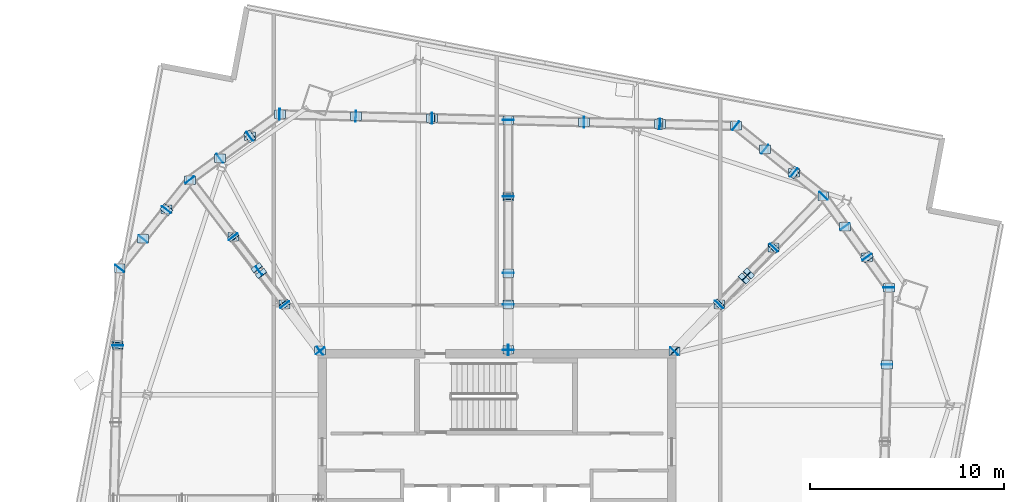
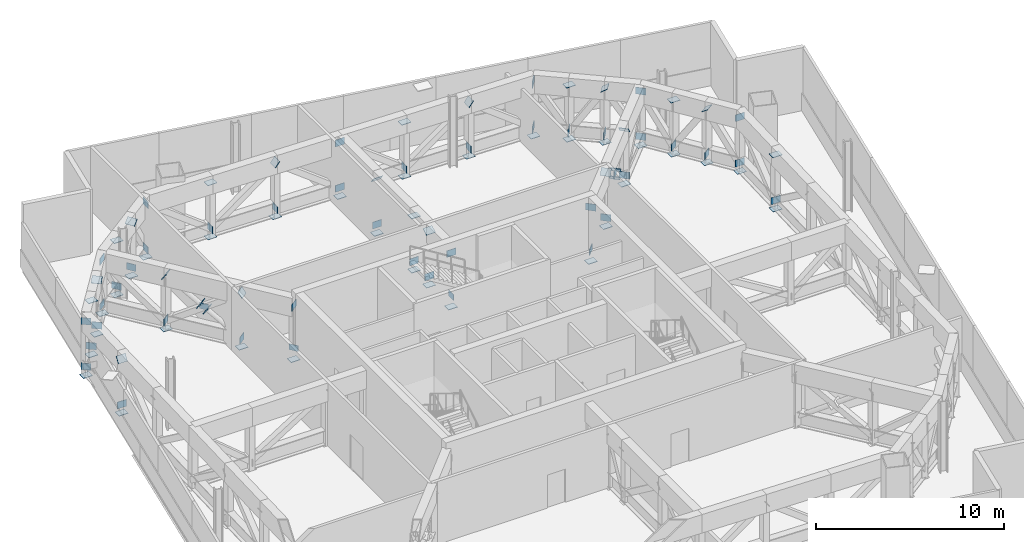
# One storey, part 9 of 15: 99 plates.
"""IFC4 building model written with IfcOpenShell, lengths in metres."""

from ifc_helpers import new_model, si_unit, direction, frame, origin, origin_2d, place, context, subcontext, project, spatial, rectangle, extrude, source, transform, mapped, material, layer, layer_set, type_object, element, save


model = new_model("IFC4")

# Units and contexts
model_context = context("Model", 3, precision=1e-05, world=origin(), true_north=direction((0.0, 1.0)))
body_context = subcontext(model_context, "Body", "Model", "MODEL_VIEW")
ifc_project = project(units=[si_unit("LENGTHUNIT", "METRE"), si_unit("AREAUNIT", "SQUARE_METRE"), si_unit("VOLUMEUNIT", "CUBIC_METRE"), si_unit("PLANEANGLEUNIT", "RADIAN"), si_unit("MASSUNIT", "GRAM", prefix="KILO")], contexts=[model_context])

# Site, building, storey
site_placement = place(None, origin())
site = spatial("IfcSite", under=ifc_project, at=site_placement, CompositionType="ELEMENT")
building_placement = place(site_placement, origin())
building = spatial("IfcBuilding", under=site, at=building_placement, Name="Haldenkirk Collegiate Tower", CompositionType="ELEMENT")
storey_placement = place(building_placement, frame((0.0, 0.0, 293.699951171875)))
storey = spatial("IfcBuildingStorey", under=building, at=storey_placement, Name="L74", CompositionType="ELEMENT", Elevation=293.699951171875)

# Plates
ifc_material = material(Name="Steel ASTM A572 Grade 50", Category="steel")
ifc_layer_1 = layer(ifc_material, 0.028076171875)
ifc_layer_set_1 = layer_set([ifc_layer_1], Name="Steel ASTM A572 Grade 50")
plate_type_1 = type_object("IfcPlateType", Name="PLT-CAP-INT-560X440", PredefinedType="USERDEFINED", material=ifc_layer_set_1)
shared_shape_1 = source(origin(), body_context, "Body", "SweptSolid", [
    extrude(rectangle(XDim=0.56005859375, YDim=0.43994140625, at=origin_2d()), origin(), (0.0, 0.0, 1.0), 0.028076171875),
])
for number, where, z_axis, x_axis, name in (
    (1, (45.140869140625, 34.146240234375, 3.5), (-0.692942165817, -0.720993172529, 0.0), (0.720993172529, -0.692942165817, 0.0), "Outrigger Truss L74 Radial 02 top chord 1 end cap plate 1"),
    (2, (47.452880859375, 36.552001953125, 0.550048828125), (-0.692946243558, -0.720989253414, 0.0), (0.720989253414, -0.692946243558, 0.0), "Outrigger Truss L74 Radial 02 bottom chord 2 end plate 1"),
    (3, (50.2529296875, 39.4658203125, 0.550048828125), (0.692946243558, 0.720989253414, 0.0), (-0.720989253414, 0.692946243558, 0.0), "Outrigger Truss L74 Radial 02 bottom chord 2 end plate 2"),
    (4, (47.452392578125, 36.552001953125, 3.498291015625), (-0.559970204547, -0.582633212825, 0.589043215166), (0.720990151375, -0.692945309256, 8.6068e-08), "Outrigger Truss L74 Radial 02 web diagonal 2 end cap plate 1"),
    (5, (48.717041015625, 37.8671875, 1.8818359375), (0.559974959675, 0.582633958043, 0.589037957582), (-0.720987500875, 0.692948067017, -2.17772e-07), "Outrigger Truss L74 Radial 02 split X-brace diagonal 2A end cap plate 2"),
    (6, (48.989013671875, 38.150634765625, 2.168212890625), (-0.559960835478, -0.582662828808, -0.58902282694), (0.721013584074, -0.692920927365, -1.71895e-07), "Outrigger Truss L74 Radial 02 split X-brace diagonal 2B end cap plate 1"),
    (7, (50.253662109375, 39.466064453125, 3.498291015625), (0.559960835478, 0.582662828808, 0.58902282694), (-0.721013584074, 0.692920927365, 1.71895e-07), "Outrigger Truss L74 Radial 02 split X-brace diagonal 2B end cap plate 2"),
    (8, (52.811279296875, 42.127685546875, 3.5), (0.692950841097, 0.720984834669, 0.0), (-0.720984834669, 0.692950841097, 0.0), "Outrigger Truss L74 Radial 02 top chord 3 end cap plate 2"),
    (9, (52.811279296875, 42.127685546875, 0.550048828125), (0.692946243558, 0.720989253414, 0.0), (-0.720989253414, 0.692946243558, 0.0), "Outrigger Truss L74 Radial 02 bottom chord 3 end plate 2"),
    (10, (45.138671875, 34.144287109375, 0.0029296875), (0.0, 0.0, -1.0), (1.0, 0.0, 0.0), "Outrigger Truss L74 Radial 02 vertical post 1 end cap plate 1"),
    (11, (47.45068359375, 36.550048828125, 0.0029296875), (0.0, 0.0, -1.0), (1.0, 0.0, 0.0), "Outrigger Truss L74 Radial 02 vertical post 2 end cap plate 1"),
    (12, (50.255126953125, 39.468017578125, 0.0029296875), (0.0, 0.0, -1.0), (1.0, 0.0, 0.0), "Outrigger Truss L74 Radial 02 vertical post 3 end cap plate 1"),
    (13, (52.8134765625, 42.129638671875, 0.0029296875), (0.0, 0.0, -1.0), (1.0, 0.0, 0.0), "Outrigger Truss L74 Radial 02 vertical post 4 end cap plate 1"),
    (14, (26.876953125, 34.16162109375, 3.5), (0.606182613327, -0.795325492676, 0.0), (0.795325492676, 0.606182613327, 0.0), "Outrigger Truss L74 Radial 03 top chord 1 end cap plate 1"),
    (15, (25.0546875, 36.552490234375, 0.550048828125), (0.606184842634, -0.795323793534, 0.0), (0.795323793534, 0.606184842634, 0.0), "Outrigger Truss L74 Radial 03 bottom chord 2 end plate 1"),
    (16, (22.41064453125, 40.02099609375, 0.550048828125), (-0.606184842634, 0.795323793534, 0.0), (-0.795323793534, -0.606184842634, 0.0), "Outrigger Truss L74 Radial 03 bottom chord 2 end plate 2"),
    (17, (25.054931640625, 36.552001953125, 3.49853515625), (0.502343199755, -0.659064262075, 0.559719222571), (0.795315970411, 0.606195106553, -6.9354e-08), "Outrigger Truss L74 Radial 03 web diagonal 2 end cap plate 1"),
    (18, (23.85498046875, 38.12646484375, 1.88916015625), (-0.502330822122, 0.659058766624, 0.559736801794), (-0.795320723962, -0.606188869938, -4.3156e-08), "Outrigger Truss L74 Radial 03 split X-brace diagonal 2A end cap plate 2"),
    (19, (23.610595703125, 38.447021484375, 2.160888671875), (0.502330822122, -0.659058766624, -0.559736801794), (0.795320723962, 0.606188869938, 4.3156e-08), "Outrigger Truss L74 Radial 03 split X-brace diagonal 2B end cap plate 1"),
    (20, (22.410400390625, 40.021484375, 3.49853515625), (-0.502330822122, 0.659058766624, 0.559736801794), (-0.795320723962, -0.606188869938, -4.3156e-08), "Outrigger Truss L74 Radial 03 split X-brace diagonal 2B end cap plate 2"),
    (21, (20.17578125, 42.953369140625, 3.5), (-0.606175142395, 0.795331186829, 0.0), (-0.795331186829, -0.606175142395, 0.0), "Outrigger Truss L74 Radial 03 top chord 3 end cap plate 2"),
    (22, (20.17578125, 42.953369140625, 0.550048828125), (-0.606184842634, 0.795323793534, 0.0), (-0.795323793534, -0.606184842634, 0.0), "Outrigger Truss L74 Radial 03 bottom chord 3 end plate 2"),
    (23, (26.87890625, 34.1591796875, 0.0029296875), (0.0, 0.0, -1.0), (1.0, 0.0, 0.0), "Outrigger Truss L74 Radial 03 vertical post 1 end cap plate 1"),
    (24, (25.056396484375, 36.550048828125, 0.0029296875), (0.0, 0.0, -1.0), (1.0, 0.0, 0.0), "Outrigger Truss L74 Radial 03 vertical post 2 end cap plate 1"),
    (25, (22.408935546875, 40.023681640625, 0.0029296875), (0.0, 0.0, -1.0), (1.0, 0.0, 0.0), "Outrigger Truss L74 Radial 03 vertical post 3 end cap plate 1"),
    (26, (20.174072265625, 42.955810546875, 0.0029296875), (0.0, 0.0, -1.0), (1.0, 0.0, 0.0), "Outrigger Truss L74 Radial 03 vertical post 4 end cap plate 1"),
    (27, (36.582275390625, 34.203125, 3.5), (0.0, -1.0, 0.0), (1.0, 0.0, 0.0), "Outrigger Truss L74 Radial 06 top chord 1 end cap plate 1"),
    (28, (36.582275390625, 36.55322265625, 0.550048828125), (0.0, -1.0, 0.0), (1.0, 0.0, 0.0), "Outrigger Truss L74 Radial 06 bottom chord 2 end plate 1"),
    (29, (36.582275390625, 38.14404296875, 0.550048828125), (0.0, 1.0, 0.0), (-1.0, 0.0, 0.0), "Outrigger Truss L74 Radial 06 bottom chord 2 end plate 2"),
    (30, (36.582275390625, 36.551513671875, 3.497314453125), (0.0, -0.476118168288, 0.879381310824), (1.0, 0.0, 0.0), "Outrigger Truss L74 Radial 06 web diagonal 2 end cap plate 1"),
    (31, (36.582275390625, 42.09130859375, 0.550048828125), (0.0, 1.0, 0.0), (-1.0, 0.0, 0.0), "Outrigger Truss L74 Radial 06 bottom chord 3 end plate 2"),
    (32, (36.582275390625, 42.092041015625, 3.498291015625), (0.0, 0.801018963681, 0.598638972857), (-1.0, 0.0, 0.0), "Outrigger Truss L74 Radial 06 web diagonal 3 end cap plate 2"),
    (33, (36.582275390625, 46.03857421875, 3.5), (0.0, 1.0, 0.0), (-1.0, 0.0, 0.0), "Outrigger Truss L74 Radial 06 top chord 4 end cap plate 2"),
    (34, (36.582275390625, 46.03857421875, 0.550048828125), (0.0, 1.0, 0.0), (-1.0, 0.0, 0.0), "Outrigger Truss L74 Radial 06 bottom chord 4 end plate 2"),
    (35, (36.582275390625, 34.199951171875, 0.0029296875), (0.0, 0.0, -1.0), (1.0, 0.0, 0.0), "Outrigger Truss L74 Radial 06 vertical post 1 end cap plate 1"),
    (36, (36.582275390625, 36.550048828125, 0.0029296875), (0.0, 0.0, -1.0), (1.0, 0.0, 0.0), "Outrigger Truss L74 Radial 06 vertical post 2 end cap plate 1"),
    (37, (36.582275390625, 38.147216796875, 0.0029296875), (0.0, 0.0, -1.0), (1.0, 0.0, 0.0), "Outrigger Truss L74 Radial 06 vertical post 3 end cap plate 1"),
    (38, (36.582275390625, 38.147216796875, 3.4970703125), (0.0, 0.0, 1.0), (1.0, 0.0, 0.0), "Outrigger Truss L74 Radial 06 vertical post 3 end cap plate 2"),
    (39, (36.582275390625, 42.094482421875, 0.0029296875), (0.0, 0.0, -1.0), (1.0, 0.0, 0.0), "Outrigger Truss L74 Radial 06 vertical post 4 end cap plate 1"),
    (40, (36.582275390625, 46.041748046875, 0.0029296875), (0.0, 0.0, -1.0), (1.0, 0.0, 0.0), "Outrigger Truss L74 Radial 06 vertical post 5 end cap plate 1"),
    (41, (56.0947265625, 33.43505859375, 0.550048828125), (0.02530999116, 0.999679650862, 0.0), (-0.999679650862, 0.02530999116, 0.0), "Belt Truss L74-03 bottom chord 2 end plate 2"),
    (42, (56.1953125, 37.40576171875, 3.5), (0.025301996286, 0.999679853245, 0.0), (-0.999679853245, 0.025301996286, 0.0), "Belt Truss L74-03 top chord 3 end cap plate 2"),
    (43, (56.1953125, 37.40576171875, 0.550048828125), (0.02530999116, 0.999679650862, 0.0), (-0.999679650862, 0.02530999116, 0.0), "Belt Truss L74-03 bottom chord 3 end plate 2"),
    (44, (56.0947265625, 33.43798828125, 0.0029296875), (0.0, 0.0, -1.0), (1.0, 0.0, 0.0), "Belt Truss L74-03 vertical post 3 end cap plate 1"),
    (45, (56.0947265625, 33.43798828125, 3.4970703125), (0.0, 0.0, 1.0), (1.0, 0.0, 0.0), "Belt Truss L74-03 vertical post 3 end cap plate 2"),
    (46, (56.1953125, 37.40869140625, 0.0029296875), (0.0, 0.0, -1.0), (1.0, 0.0, 0.0), "Belt Truss L74-03 vertical post 4 end cap plate 1"),
    (47, (55.069580078125, 38.979736328125, 0.550048828125), (-0.582319180705, 0.812960252277, 0.0), (-0.812960252277, -0.582319180705, 0.0), "Belt Truss L74-04 bottom chord 1 end plate 2"),
    (48, (55.06884765625, 38.98095703125, 3.49755859375), (-0.319465003892, 0.446009005434, 0.836073010185), (-0.812968104238, -0.582308218637, -1.78375e-07), "Belt Truss L74-04 web diagonal 1 end cap plate 2"),
    (49, (53.9423828125, 40.553466796875, 0.550048828125), (-0.582319180705, 0.812960252277, 0.0), (-0.812960252277, -0.582319180705, 0.0), "Belt Truss L74-04 bottom chord 2 end plate 2"),
    (50, (55.068115234375, 38.982421875, 0.0029296875), (0.0, 0.0, -1.0), (1.0, 0.0, 0.0), "Belt Truss L74-04 vertical post 2 end cap plate 1"),
    (51, (53.940673828125, 40.555908203125, 0.0029296875), (0.0, 0.0, -1.0), (1.0, 0.0, 0.0), "Belt Truss L74-04 vertical post 3 end cap plate 1"),
    (52, (53.940673828125, 40.555908203125, 3.4970703125), (0.0, 0.0, 1.0), (1.0, 0.0, 0.0), "Belt Truss L74-04 vertical post 3 end cap plate 2"),
    (53, (51.315185546875, 43.332763671875, 0.550048828125), (-0.779720175131, 0.626128140633, 0.0), (-0.626128140633, -0.779720175131, 0.0), "Belt Truss L74-05 bottom chord 1 end plate 2"),
    (54, (51.31396484375, 43.33349609375, 3.49755859375), (-0.426033027673, 0.342110022222, 0.837530054402), (-0.626126099648, -0.779721814072, 2.97543e-07), "Belt Truss L74-05 web diagonal 1 end cap plate 2"),
    (55, (49.814697265625, 44.537841796875, 0.550048828125), (-0.779720175131, 0.626128140633, 0.0), (-0.626128140633, -0.779720175131, 0.0), "Belt Truss L74-05 bottom chord 2 end plate 2"),
    (56, (48.31396484375, 45.742919921875, 3.5), (-0.779721935611, 0.626125948295, 0.0), (-0.626125948295, -0.779721935611, 0.0), "Belt Truss L74-05 top chord 3 end cap plate 2"),
    (57, (48.31396484375, 45.742919921875, 0.550048828125), (-0.779720175131, 0.626128140633, 0.0), (-0.626128140633, -0.779720175131, 0.0), "Belt Truss L74-05 bottom chord 3 end plate 2"),
    (58, (51.31298828125, 43.334716796875, 0.0029296875), (0.0, 0.0, -1.0), (1.0, 0.0, 0.0), "Belt Truss L74-05 vertical post 2 end cap plate 1"),
    (59, (49.812255859375, 44.539794921875, 0.0029296875), (0.0, 0.0, -1.0), (1.0, 0.0, 0.0), "Belt Truss L74-05 vertical post 3 end cap plate 1"),
    (60, (49.812255859375, 44.539794921875, 3.4970703125), (0.0, 0.0, 1.0), (1.0, 0.0, 0.0), "Belt Truss L74-05 vertical post 3 end cap plate 2"),
    (61, (48.3115234375, 45.744873046875, 0.0029296875), (0.0, 0.0, -1.0), (1.0, 0.0, 0.0), "Belt Truss L74-05 vertical post 4 end cap plate 1"),
    (62, (44.40478515625, 45.84375, 0.550048828125), (-0.999679777359, 0.025304994364, 0.0), (-0.025304994364, -0.999679777359, 0.0), "Belt Truss L74-06 bottom chord 1 end plate 2"),
    (63, (44.404296875, 45.84375, 3.498046875), (-0.798103858234, 0.02020899641, 0.602180893035), (-0.025313090252, -0.999679572394, 7.6217e-08), "Belt Truss L74-06 web diagonal 1 end cap plate 2"),
    (64, (40.4951171875, 45.94287109375, 0.550048828125), (-0.999679777359, 0.025304994364, 0.0), (-0.025304994364, -0.999679777359, 0.0), "Belt Truss L74-06 bottom chord 2 end plate 2"),
    (65, (44.40185546875, 45.84375, 0.0029296875), (0.0, 0.0, -1.0), (1.0, 0.0, 0.0), "Belt Truss L74-06 vertical post 2 end cap plate 1"),
    (66, (40.4921875, 45.942626953125, 0.0029296875), (0.0, 0.0, -1.0), (1.0, 0.0, 0.0), "Belt Truss L74-06 vertical post 3 end cap plate 1"),
    (67, (40.4921875, 45.942626953125, 3.4970703125), (0.0, 0.0, 1.0), (1.0, 0.0, 0.0), "Belt Truss L74-06 vertical post 3 end cap plate 2"),
    (68, (32.66162109375, 46.14111328125, 0.550048828125), (-0.999679929122, 0.025298998206, 0.0), (-0.025298998206, -0.999679929122, 0.0), "Belt Truss L74-07 bottom chord 1 end plate 2"),
    (69, (32.6611328125, 46.140869140625, 3.498046875), (-0.799129505404, 0.020223987483, 0.600818628142), (-0.025299629423, -0.999679913148, -2.76785e-07), "Belt Truss L74-07 web diagonal 1 end cap plate 2"),
    (70, (28.73779296875, 46.240234375, 0.550048828125), (-0.999679929122, 0.025298998206, 0.0), (-0.025298998206, -0.999679929122, 0.0), "Belt Truss L74-07 bottom chord 2 end plate 2"),
    (71, (24.81396484375, 46.339599609375, 3.5), (-0.999679903831, 0.025299997566, 0.0), (-0.025299997566, -0.999679903831, 0.0), "Belt Truss L74-07 top chord 3 end cap plate 2"),
    (72, (24.81396484375, 46.339599609375, 0.550048828125), (-0.999679929122, 0.025298998206, 0.0), (-0.025298998206, -0.999679929122, 0.0), "Belt Truss L74-07 bottom chord 3 end plate 2"),
    (73, (32.65869140625, 46.14111328125, 0.0029296875), (0.0, 0.0, -1.0), (1.0, 0.0, 0.0), "Belt Truss L74-07 vertical post 2 end cap plate 1"),
    (74, (28.73486328125, 46.240234375, 0.0029296875), (0.0, 0.0, -1.0), (1.0, 0.0, 0.0), "Belt Truss L74-07 vertical post 3 end cap plate 1"),
    (75, (28.73486328125, 46.240234375, 3.4970703125), (0.0, 0.0, 1.0), (1.0, 0.0, 0.0), "Belt Truss L74-07 vertical post 3 end cap plate 2"),
    (76, (24.81103515625, 46.339599609375, 0.0029296875), (0.0, 0.0, -1.0), (1.0, 0.0, 0.0), "Belt Truss L74-07 vertical post 4 end cap plate 1"),
    (77, (23.267822265625, 45.21337890625, 0.550048828125), (-0.807801963924, -0.589453973675, 0.0), (0.589453973675, -0.807801963924, 0.0), "Belt Truss L74-08 bottom chord 1 end plate 2"),
    (78, (23.2666015625, 45.212646484375, 3.49755859375), (-0.439590792248, -0.320769848403, 0.838967603502), (0.589453962345, -0.807801972191, 2.1624e-08), "Belt Truss L74-08 web diagonal 1 end cap plate 2"),
    (79, (21.721923828125, 44.085693359375, 0.550048828125), (-0.807801963924, -0.589453973675, 0.0), (0.589453973675, -0.807801963924, 0.0), "Belt Truss L74-08 bottom chord 2 end plate 2"),
    (80, (23.265380859375, 45.211669921875, 0.0029296875), (0.0, 0.0, -1.0), (1.0, 0.0, 0.0), "Belt Truss L74-08 vertical post 2 end cap plate 1"),
    (81, (21.7197265625, 44.083740234375, 0.0029296875), (0.0, 0.0, -1.0), (1.0, 0.0, 0.0), "Belt Truss L74-08 vertical post 3 end cap plate 1"),
    (82, (21.7197265625, 44.083740234375, 3.4970703125), (0.0, 0.0, 1.0), (1.0, 0.0, 0.0), "Belt Truss L74-08 vertical post 3 end cap plate 2"),
    (83, (18.970703125, 41.443603515625, 0.550048828125), (-0.622687622905, -0.782470526142, 0.0), (0.782470526142, -0.622687622905, 0.0), "Belt Truss L74-09 bottom chord 1 end plate 2"),
    (84, (18.9697265625, 41.442626953125, 3.49755859375), (-0.341625066923, -0.429285084096, 0.836066163783), (0.782468948549, -0.622689605307, -4.21816e-07), "Belt Truss L74-09 web diagonal 1 end cap plate 2"),
    (85, (17.765380859375, 39.928955078125, 0.550048828125), (-0.622687622905, -0.782470526142, 0.0), (0.782470526142, -0.622687622905, 0.0), "Belt Truss L74-09 bottom chord 2 end plate 2"),
    (86, (16.559814453125, 38.414306640625, 3.5), (-0.622689821892, -0.78246877619, 0.0), (0.78246877619, -0.622689821892, 0.0), "Belt Truss L74-09 top chord 3 end cap plate 2"),
    (87, (16.559814453125, 38.414306640625, 0.550048828125), (-0.622687622905, -0.782470526142, 0.0), (0.782470526142, -0.622687622905, 0.0), "Belt Truss L74-09 bottom chord 3 end plate 2"),
    (88, (18.968505859375, 41.441162109375, 0.0029296875), (0.0, 0.0, -1.0), (1.0, 0.0, 0.0), "Belt Truss L74-09 vertical post 2 end cap plate 1"),
    (89, (17.76318359375, 39.926513671875, 0.0029296875), (0.0, 0.0, -1.0), (1.0, 0.0, 0.0), "Belt Truss L74-09 vertical post 3 end cap plate 1"),
    (90, (17.76318359375, 39.926513671875, 3.4970703125), (0.0, 0.0, 1.0), (1.0, 0.0, 0.0), "Belt Truss L74-09 vertical post 3 end cap plate 2"),
    (91, (16.557861328125, 38.411865234375, 0.0029296875), (0.0, 0.0, -1.0), (1.0, 0.0, 0.0), "Belt Truss L74-09 vertical post 4 end cap plate 1"),
    (92, (16.457275390625, 34.444091796875, 0.550048828125), (-0.02531099052, -0.99967962556, 0.0), (0.99967962556, -0.02531099052, 0.0), "Belt Truss L74-10 bottom chord 1 end plate 2"),
    (93, (16.45751953125, 34.443603515625, 3.498291015625), (-0.020312991874, -0.802545678938, 0.596244761469), (0.999679843476, -0.025302382268, 2.86763e-07), "Belt Truss L74-10 web diagonal 1 end cap plate 2"),
    (94, (16.45751953125, 34.441162109375, 0.0029296875), (0.0, 0.0, -1.0), (1.0, 0.0, 0.0), "Belt Truss L74-10 vertical post 2 end cap plate 1"),
):
    element("IfcPlate", number, at=place(storey_placement, frame(where, z_axis=z_axis, x_axis=x_axis)), inside=storey, type_object=plate_type_1, Name=name, ObjectType="END CAP PLATE", PredefinedType="USERDEFINED", context=body_context, shape_type="MappedRepresentation", body=[
        mapped(shared_shape_1, transform((0.0, 0.0, 0.0), x_axis=(1.0, 0.0, 0.0), y_axis=(0.0, 1.0, 0.0), z_axis=(0.0, 0.0, 1.0), scale=1.0)),
    ])
ifc_layer_2 = layer(ifc_material, 0.031982421875)
ifc_layer_set_2 = layer_set([ifc_layer_2], Name="Steel ASTM A572 Grade 50")
plate_type_2 = type_object("IfcPlateType", Name="PLT-GUSSET-INT-520X380", PredefinedType="USERDEFINED", material=ifc_layer_set_2)
shared_shape_2 = source(origin(), body_context, "Body", "SweptSolid", [
    extrude(rectangle(XDim=0.52001953125, YDim=0.031982421875, at=origin_2d()), origin(), (0.0, 0.0, 1.0), 0.3798828125),
])
for number, where, z_axis, x_axis, name in (
    (95, (48.85302734375, 38.0087890625, 1.835205078125), (0.0, 0.0, 1.0), (0.692946125939, 0.720989366458, 0.0), "Outrigger Truss L74 Radial 02 X-brace crossing gusset plate 2"),
    (96, (45.138671875, 34.144287109375, 0.550048828125), (0.0, 0.0, 1.0), (0.692946125939, 0.720989366458, 0.0), "Outrigger Truss L74 Radial 02 bottom node gusset plate 1"),
    (97, (23.732666015625, 38.286865234375, 1.835205078125), (0.0, 0.0, 1.0), (-0.606184853213, 0.795323785471, 0.0), "Outrigger Truss L74 Radial 03 X-brace crossing gusset plate 2"),
    (98, (26.87890625, 34.1591796875, 0.550048828125), (0.0, 0.0, 1.0), (-0.606184853213, 0.795323785471, 0.0), "Outrigger Truss L74 Radial 03 bottom node gusset plate 1"),
    (99, (36.582275390625, 34.199951171875, 0.550048828125), (0.0, 0.0, 1.0), (0.0, 1.0, 0.0), "Outrigger Truss L74 Radial 06 bottom node gusset plate 1"),
):
    element("IfcPlate", number, at=place(storey_placement, frame(where, z_axis=z_axis, x_axis=x_axis)), inside=storey, type_object=plate_type_2, Name=name, ObjectType="GUSSET PLATE", PredefinedType="USERDEFINED", context=body_context, shape_type="MappedRepresentation", body=[
        mapped(shared_shape_2, transform((0.0, 0.0, 0.0), x_axis=(1.0, 0.0, 0.0), y_axis=(0.0, 1.0, 0.0), z_axis=(0.0, 0.0, 1.0), scale=1.0)),
    ])

save(model, "model.ifc")
